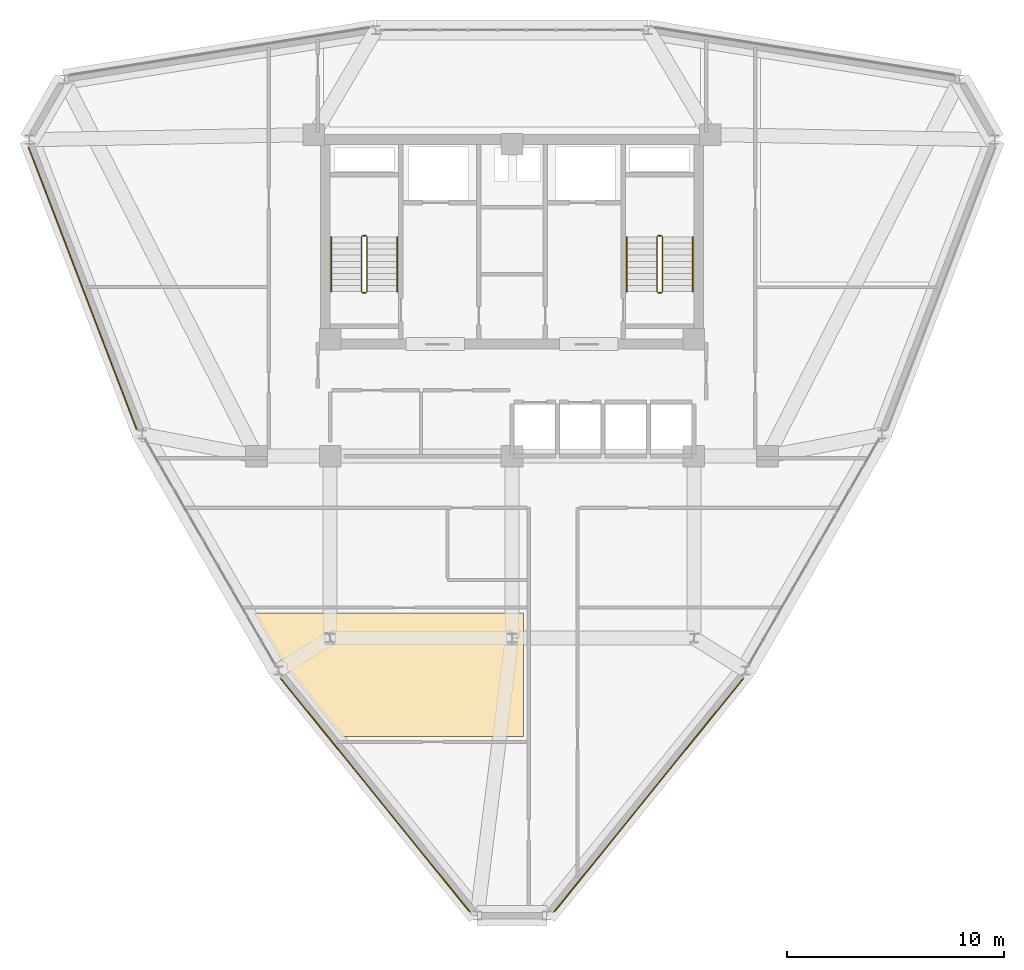
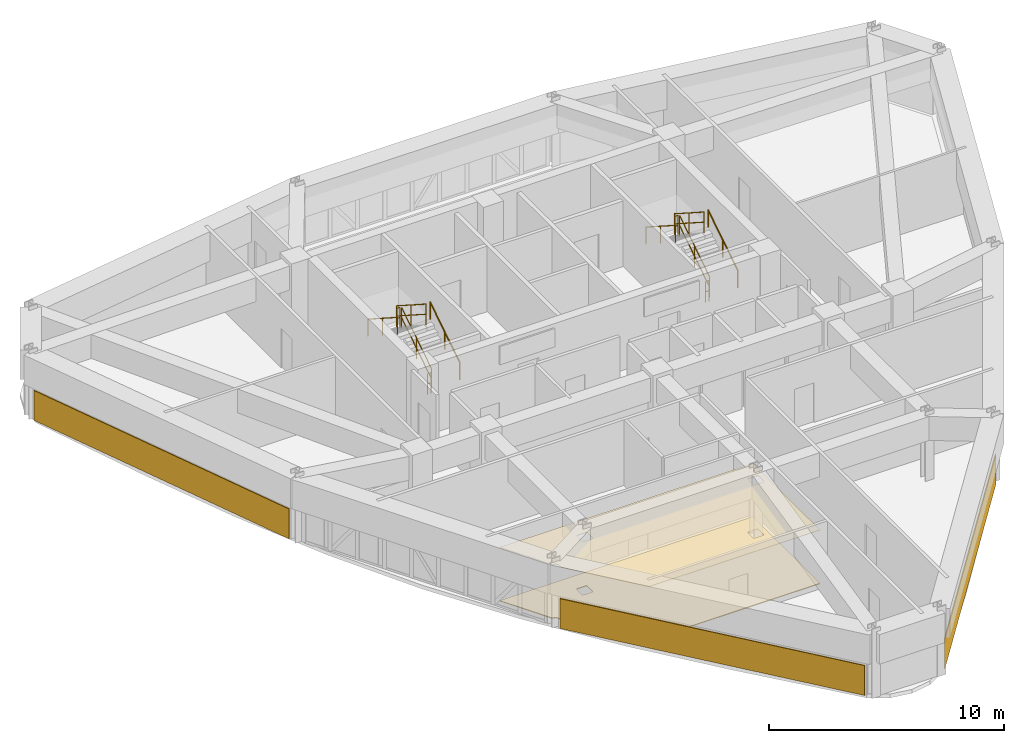
# One storey, part 12 of 13: 12 railings, 5 coverings.
"""IFC4 building model written with IfcOpenShell, lengths in metres."""

from ifc_helpers import new_model, si_unit, derived_unit, direction, frame, origin, origin_2d, place, context, subcontext, project, spatial, polyline, circle, outline, extrude, material, layer, layer_set, type_object, element, save


model = new_model("IFC4")

# Units and contexts
model_context = context("Model", 3, precision=1e-05, world=origin(), true_north=direction((0.0, 1.0)))
body_context = subcontext(model_context, "Body", "Model", "MODEL_VIEW")
ifc_project = project(units=[si_unit("LENGTHUNIT", "METRE"), si_unit("AREAUNIT", "SQUARE_METRE"), si_unit("VOLUMEUNIT", "CUBIC_METRE"), si_unit("PLANEANGLEUNIT", "RADIAN"), si_unit("MASSUNIT", "GRAM", prefix="KILO"), derived_unit("THERMALTRANSMITTANCEUNIT", [(si_unit("POWERUNIT", "WATT"), 1), (si_unit("LENGTHUNIT", "METRE"), -2), (si_unit("THERMODYNAMICTEMPERATUREUNIT", "KELVIN"), -1)])], contexts=[model_context])

# Site, building, storey
site_placement = place(None, origin())
site = spatial("IfcSite", under=ifc_project, at=site_placement, CompositionType="ELEMENT")
building_placement = place(site_placement, origin())
building = spatial("IfcBuilding", under=site, at=building_placement, Name="Korsvarv Bourse and Concert Hall", CompositionType="ELEMENT")
storey_placement = place(building_placement, frame((0.0, 0.0, 179.39990234375)))
storey = spatial("IfcBuildingStorey", under=building, at=storey_placement, Name="L46", CompositionType="ELEMENT", Elevation=179.39990234375)

# Coverings
ifc_material_1 = material(Name="Perforated mineral-wool and birch acoustic baffle ceiling", Category="wood")
ifc_layer_1 = layer(ifc_material_1, 0.02490234375)
ifc_layer_set_1 = layer_set([ifc_layer_1], Name="Perforated mineral-wool and birch acoustic baffle ceiling")
covering_type_1 = type_object("IfcCoveringType", Name="COV-CEIL-1", PredefinedType="CEILING", material=ifc_layer_set_1)
covering_1_placement = place(storey_placement, frame((0.0, 0.0, 2.780029296875)))
element("IfcCovering", 1, at=covering_1_placement, inside=storey, type_object=covering_type_1, Name="L46 acoustic baffle ceiling 3", PredefinedType="CEILING", context=body_context, shape_type="SweptSolid", body=[
    extrude(outline(polyline([(28.135986328125, 19.449951171875), (25.60986328125, 22.567138671875), (25.60986328125, 22.72021484375), (25.606201171875, 22.756103515625), (25.595703125, 22.79052734375), (25.578125, 22.822021484375), (25.554931640625, 22.849609375), (25.526611328125, 22.8720703125), (25.494384765625, 22.88818359375), (25.45947265625, 22.897705078125), (25.383544921875, 22.903564453125), (24.08642578125, 25.14990234375), (36.52001953125, 25.14990234375), (36.52001953125, 19.449951171875), (28.135986328125, 19.449951171875)]), holes=[polyline([(27.37939453125, 23.734619140625), (27.805908203125, 23.732421875), (27.82958984375, 23.73828125), (27.84765625, 23.754638671875), (27.855712890625, 23.777587890625), (27.85595703125, 24.217529296875), (27.85009765625, 24.2412109375), (27.833740234375, 24.259033203125), (27.810791015625, 24.267333984375), (27.39404296875, 24.267578125), (27.370361328125, 24.26171875), (27.352294921875, 24.245361328125), (27.34423828125, 24.222412109375), (27.343994140625, 23.782470703125), (27.349853515625, 23.7587890625), (27.37939453125, 23.734619140625)]), polyline([(35.7841796875, 23.7333984375), (36.2060546875, 23.732421875), (36.2294921875, 23.73828125), (36.24755859375, 23.754638671875), (36.255859375, 23.777587890625), (36.256103515625, 24.217529296875), (36.25, 24.2412109375), (36.23388671875, 24.259033203125), (36.2109375, 24.267333984375), (35.7939453125, 24.267578125), (35.7705078125, 24.26171875), (35.75244140625, 24.245361328125), (35.744140625, 24.222412109375), (35.743896484375, 23.782470703125), (35.75, 23.7587890625), (35.7841796875, 23.7333984375)])]), origin(), (0.0, 0.0, 1.0), 0.025146484375),
])
ifc_material_2 = material(Name="Warm iron-oxide extruded terracotta rainscreen tile", Category="ceramic")
ifc_layer_2 = layer(ifc_material_2, 0.044921875)
ifc_layer_set_2 = layer_set([ifc_layer_2], Name="Warm iron-oxide extruded terracotta rainscreen tile")
covering_type_2 = type_object("IfcCoveringType", Name="COV-CLD-TC", PredefinedType="CLADDING", material=ifc_layer_set_2)
covering_2_placement = place(storey_placement, origin())
element("IfcCovering", 2, at=covering_2_placement, inside=storey, type_object=covering_type_2, Name="L46 fluted terracotta cladding panel EW-L46-B06", PredefinedType="CLADDING", context=body_context, shape_type="SweptSolid", body=[
    extrude(outline(polyline([(13.694091796875, 46.677001953125), (18.691162109375, 33.64501953125), (18.649169921875, 33.628662109375), (13.652099609375, 46.660888671875), (13.694091796875, 46.677001953125)])), origin(), (0.0, 0.0, 1.0), 1.550048828125),
])
covering_3_placement = place(storey_placement, origin())
element("IfcCovering", 3, at=covering_3_placement, inside=storey, type_object=covering_type_2, Name="L46 fluted terracotta cladding panel EW-L46-B08", PredefinedType="CLADDING", context=body_context, shape_type="SweptSolid", body=[
    extrude(outline(polyline([(25.3349609375, 22.152099609375), (34.064453125, 11.379638671875), (34.029541015625, 11.351318359375), (25.300048828125, 22.12353515625), (25.3349609375, 22.152099609375)])), origin(), (0.0, 0.0, 1.0), 1.550048828125),
])
covering_4_placement = place(storey_placement, origin())
element("IfcCovering", 4, at=covering_4_placement, inside=storey, type_object=covering_type_2, Name="L46 fluted terracotta cladding panel EW-L46-B10", PredefinedType="CLADDING", context=body_context, shape_type="SweptSolid", body=[
    extrude(outline(polyline([(37.935546875, 11.379638671875), (46.6650390625, 22.152099609375), (46.699951171875, 22.12353515625), (37.970458984375, 11.351318359375), (37.935546875, 11.379638671875)])), origin(), (0.0, 0.0, 1.0), 1.550048828125),
])
ifc_material_3 = material(Name="Calcium-sulphate raised access trading floor with Nordic oak top", Category="wood")
ifc_layer_3 = layer(ifc_material_3, 0.0400390625)
ifc_layer_set_3 = layer_set([ifc_layer_3], Name="Calcium-sulphate raised access trading floor with Nordic oak top")
covering_type_3 = type_object("IfcCoveringType", Name="COV-FLOR-1", PredefinedType="FLOORING", material=ifc_layer_set_3)
covering_5_placement = place(storey_placement, origin())
element("IfcCovering", 5, at=covering_5_placement, inside=storey, type_object=covering_type_3, Name="L46 raised access oak floor finish 3", PredefinedType="FLOORING", context=body_context, shape_type="SweptSolid", body=[
    extrude(outline(polyline([(28.135986328125, 19.449951171875), (25.60986328125, 22.567138671875), (25.60986328125, 22.72021484375), (25.606201171875, 22.756103515625), (25.595703125, 22.79052734375), (25.578125, 22.822021484375), (25.554931640625, 22.849609375), (25.526611328125, 22.8720703125), (25.494384765625, 22.88818359375), (25.45947265625, 22.897705078125), (25.383544921875, 22.903564453125), (24.08642578125, 25.14990234375), (36.52001953125, 25.14990234375), (36.52001953125, 19.449951171875), (28.135986328125, 19.449951171875)]), holes=[polyline([(27.37939453125, 23.734619140625), (27.805908203125, 23.732421875), (27.82958984375, 23.73828125), (27.84765625, 23.754638671875), (27.855712890625, 23.777587890625), (27.85595703125, 24.217529296875), (27.85009765625, 24.2412109375), (27.833740234375, 24.259033203125), (27.810791015625, 24.267333984375), (27.39404296875, 24.267578125), (27.370361328125, 24.26171875), (27.352294921875, 24.245361328125), (27.34423828125, 24.222412109375), (27.343994140625, 23.782470703125), (27.349853515625, 23.7587890625), (27.37939453125, 23.734619140625)]), polyline([(35.7841796875, 23.7333984375), (36.2060546875, 23.732421875), (36.2294921875, 23.73828125), (36.24755859375, 23.754638671875), (36.255859375, 23.777587890625), (36.256103515625, 24.217529296875), (36.25, 24.2412109375), (36.23388671875, 24.259033203125), (36.2109375, 24.267333984375), (35.7939453125, 24.267578125), (35.7705078125, 24.26171875), (35.75244140625, 24.245361328125), (35.744140625, 24.222412109375), (35.743896484375, 23.782470703125), (35.75, 23.7587890625), (35.7841796875, 23.7333984375)])]), origin(), (0.0, 0.0, 1.0), 0.0400390625),
])

# Railings
ifc_material_4 = material(Name="Painted Steel S355 stair well guardrail", Category="steel")
railing_type_1 = type_object("IfcRailingType", Name="RL-ST-GRD", PredefinedType="GUARDRAIL", material=ifc_material_4)
railing_1_placement = place(storey_placement, frame((29.31005859375, 40.0, 0.18017578125)))
element("IfcRailing", 6, at=railing_1_placement, inside=storey, type_object=railing_type_1, Name="L46 ST-T1 stair guard 1", PredefinedType="GUARDRAIL", context=body_context, shape_type="SweptSolid", body=[
    extrude(circle(Radius=0.02392578125, at=origin_2d()), frame((0.0, 0.0, 1.076171875), z_axis=(0.0, 0.841199657755, 0.540724639528), x_axis=(-1.0, 0.0, 0.0)), (0.0, 0.0, 1.0), 2.995849609375),
    extrude(circle(Radius=0.02392578125, at=origin_2d()), frame((0.0, 0.0, 0.550048828125), z_axis=(0.0, 0.841199657755, 0.540724639528), x_axis=(-1.0, 0.0, 0.0)), (0.0, 0.0, 1.0), 2.995849609375),
    extrude(circle(Radius=0.02099609375, at=origin_2d()), origin(), (0.0, 0.0, 1.0), 1.052001953125),
    extrude(circle(Radius=0.02099609375, at=origin_2d()), frame((0.0, 1.260009765625, 0.81005859375)), (0.0, 0.0, 1.0), 1.052001953125),
    extrude(circle(Radius=0.02099609375, at=origin_2d()), frame((0.0, 2.52001953125, 1.619873046875)), (0.0, 0.0, 1.0), 1.052001953125),
])
railing_2_placement = place(storey_placement, frame((29.260009765625, 42.570068359375, 1.800048828125)))
element("IfcRailing", 7, at=railing_2_placement, inside=storey, type_object=railing_type_1, Name="L46 ST-T1 stair guard 2", PredefinedType="GUARDRAIL", context=body_context, shape_type="SweptSolid", body=[
    extrude(circle(Radius=0.02392578125, at=origin_2d()), frame((0.0, 0.0, 1.076171875), z_axis=(-1.0, 0.0, 0.0), x_axis=(0.0, -1.0, 0.0)), (0.0, 0.0, 1.0), 0.159912109375),
    extrude(circle(Radius=0.02392578125, at=origin_2d()), frame((0.0, 0.0, 0.550048828125), z_axis=(-1.0, 0.0, 0.0), x_axis=(0.0, -1.0, 0.0)), (0.0, 0.0, 1.0), 0.159912109375),
    extrude(circle(Radius=0.02099609375, at=origin_2d()), origin(), (0.0, 0.0, 1.0), 1.052001953125),
    extrude(circle(Radius=0.02099609375, at=origin_2d()), frame((-0.159912109375, 0.0, 0.0)), (0.0, 0.0, 1.0), 1.052001953125),
])
railing_3_placement = place(storey_placement, frame((29.050048828125, 42.52001953125, 1.97998046875)))
element("IfcRailing", 8, at=railing_3_placement, inside=storey, type_object=railing_type_1, Name="L46 ST-T1 stair guard 3", PredefinedType="GUARDRAIL", context=body_context, shape_type="SweptSolid", body=[
    extrude(circle(Radius=0.02392578125, at=origin_2d()), frame((0.0, 0.0, 1.076171875), z_axis=(0.0, -0.841162588446, 0.540782303519), x_axis=(1.0, 0.0, 0.0)), (0.0, 0.0, 1.0), 2.995849609375),
    extrude(circle(Radius=0.02392578125, at=origin_2d()), frame((0.0, 0.0, 0.550048828125), z_axis=(0.0, -0.841162588446, 0.540782303519), x_axis=(1.0, 0.0, 0.0)), (0.0, 0.0, 1.0), 2.995849609375),
    extrude(circle(Radius=0.02099609375, at=origin_2d()), origin(), (0.0, 0.0, 1.0), 1.052001953125),
    extrude(circle(Radius=0.02099609375, at=origin_2d()), frame((0.0, -1.260009765625, 0.81005859375)), (0.0, 0.0, 1.0), 1.052001953125),
    extrude(circle(Radius=0.02099609375, at=origin_2d()), frame((0.0, -2.52001953125, 1.6201171875)), (0.0, 0.0, 1.0), 1.052001953125),
])
railing_4_placement = place(storey_placement, frame((29.260009765625, 39.949951171875, 0.0)))
element("IfcRailing", 9, at=railing_4_placement, inside=storey, type_object=railing_type_1, Name="L46 ST-T1 stair guard 4", PredefinedType="GUARDRAIL", context=body_context, shape_type="SweptSolid", body=[
    extrude(circle(Radius=0.02392578125, at=origin_2d()), frame((0.0, 0.0, 1.076171875), z_axis=(-1.0, 0.0, 0.0), x_axis=(0.0, -1.0, 0.0)), (0.0, 0.0, 1.0), 0.159912109375),
    extrude(circle(Radius=0.02392578125, at=origin_2d()), frame((0.0, 0.0, 0.550048828125), z_axis=(-1.0, 0.0, 0.0), x_axis=(0.0, -1.0, 0.0)), (0.0, 0.0, 1.0), 0.159912109375),
    extrude(circle(Radius=0.02099609375, at=origin_2d()), origin(), (0.0, 0.0, 1.0), 1.052001953125),
    extrude(circle(Radius=0.02099609375, at=origin_2d()), frame((-0.159912109375, 0.0, 0.0)), (0.0, 0.0, 1.0), 1.052001953125),
])
railing_5_placement = place(storey_placement, frame((42.949951171875, 40.0, 0.18017578125)))
element("IfcRailing", 10, at=railing_5_placement, inside=storey, type_object=railing_type_1, Name="L46 ST-T2 stair guard 1", PredefinedType="GUARDRAIL", context=body_context, shape_type="SweptSolid", body=[
    extrude(circle(Radius=0.02392578125, at=origin_2d()), frame((0.0, 0.0, 1.076171875), z_axis=(0.0, 0.841199657755, 0.540724639528), x_axis=(-1.0, 0.0, 0.0)), (0.0, 0.0, 1.0), 2.995849609375),
    extrude(circle(Radius=0.02392578125, at=origin_2d()), frame((0.0, 0.0, 0.550048828125), z_axis=(0.0, 0.841199657755, 0.540724639528), x_axis=(-1.0, 0.0, 0.0)), (0.0, 0.0, 1.0), 2.995849609375),
    extrude(circle(Radius=0.02099609375, at=origin_2d()), origin(), (0.0, 0.0, 1.0), 1.052001953125),
    extrude(circle(Radius=0.02099609375, at=origin_2d()), frame((0.0, 1.260009765625, 0.81005859375)), (0.0, 0.0, 1.0), 1.052001953125),
    extrude(circle(Radius=0.02099609375, at=origin_2d()), frame((0.0, 2.52001953125, 1.619873046875)), (0.0, 0.0, 1.0), 1.052001953125),
])
railing_6_placement = place(storey_placement, frame((42.89990234375, 42.570068359375, 1.800048828125)))
element("IfcRailing", 11, at=railing_6_placement, inside=storey, type_object=railing_type_1, Name="L46 ST-T2 stair guard 2", PredefinedType="GUARDRAIL", context=body_context, shape_type="SweptSolid", body=[
    extrude(circle(Radius=0.02392578125, at=origin_2d()), frame((0.0, 0.0, 1.076171875), z_axis=(-1.0, 0.0, 0.0), x_axis=(0.0, -1.0, 0.0)), (0.0, 0.0, 1.0), 0.159912109375),
    extrude(circle(Radius=0.02392578125, at=origin_2d()), frame((0.0, 0.0, 0.550048828125), z_axis=(-1.0, 0.0, 0.0), x_axis=(0.0, -1.0, 0.0)), (0.0, 0.0, 1.0), 0.159912109375),
    extrude(circle(Radius=0.02099609375, at=origin_2d()), origin(), (0.0, 0.0, 1.0), 1.052001953125),
    extrude(circle(Radius=0.02099609375, at=origin_2d()), frame((-0.159912109375, 0.0, 0.0)), (0.0, 0.0, 1.0), 1.052001953125),
])
railing_7_placement = place(storey_placement, frame((42.68994140625, 42.52001953125, 1.97998046875)))
element("IfcRailing", 12, at=railing_7_placement, inside=storey, type_object=railing_type_1, Name="L46 ST-T2 stair guard 3", PredefinedType="GUARDRAIL", context=body_context, shape_type="SweptSolid", body=[
    extrude(circle(Radius=0.02392578125, at=origin_2d()), frame((0.0, 0.0, 1.076171875), z_axis=(0.0, -0.841162588446, 0.540782303519), x_axis=(1.0, 0.0, 0.0)), (0.0, 0.0, 1.0), 2.995849609375),
    extrude(circle(Radius=0.02392578125, at=origin_2d()), frame((0.0, 0.0, 0.550048828125), z_axis=(0.0, -0.841162588446, 0.540782303519), x_axis=(1.0, 0.0, 0.0)), (0.0, 0.0, 1.0), 2.995849609375),
    extrude(circle(Radius=0.02099609375, at=origin_2d()), origin(), (0.0, 0.0, 1.0), 1.052001953125),
    extrude(circle(Radius=0.02099609375, at=origin_2d()), frame((0.0, -1.260009765625, 0.81005859375)), (0.0, 0.0, 1.0), 1.052001953125),
    extrude(circle(Radius=0.02099609375, at=origin_2d()), frame((0.0, -2.52001953125, 1.6201171875)), (0.0, 0.0, 1.0), 1.052001953125),
])
railing_8_placement = place(storey_placement, frame((42.89990234375, 39.949951171875, 0.0)))
element("IfcRailing", 13, at=railing_8_placement, inside=storey, type_object=railing_type_1, Name="L46 ST-T2 stair guard 4", PredefinedType="GUARDRAIL", context=body_context, shape_type="SweptSolid", body=[
    extrude(circle(Radius=0.02392578125, at=origin_2d()), frame((0.0, 0.0, 1.076171875), z_axis=(-1.0, 0.0, 0.0), x_axis=(0.0, -1.0, 0.0)), (0.0, 0.0, 1.0), 0.159912109375),
    extrude(circle(Radius=0.02392578125, at=origin_2d()), frame((0.0, 0.0, 0.550048828125), z_axis=(-1.0, 0.0, 0.0), x_axis=(0.0, -1.0, 0.0)), (0.0, 0.0, 1.0), 0.159912109375),
    extrude(circle(Radius=0.02099609375, at=origin_2d()), origin(), (0.0, 0.0, 1.0), 1.052001953125),
    extrude(circle(Radius=0.02099609375, at=origin_2d()), frame((-0.159912109375, 0.0, 0.0)), (0.0, 0.0, 1.0), 1.052001953125),
])
ifc_material_5 = material(Name="Brushed stainless Steel S355 tubular handrail", Category="steel")
railing_type_2 = type_object("IfcRailingType", Name="RL-ST-HND", PredefinedType="HANDRAIL", material=ifc_material_5)
railing_9_placement = place(storey_placement, frame((30.7099609375, 40.0, 0.18017578125)))
element("IfcRailing", 14, at=railing_9_placement, inside=storey, type_object=railing_type_2, Name="L46 ST-T1 stair handrail 1", PredefinedType="HANDRAIL", context=body_context, shape_type="SweptSolid", body=[
    extrude(circle(Radius=0.02392578125, at=origin_2d()), frame((0.0, 0.0, 0.8759765625), z_axis=(0.0, 0.841199657755, 0.540724639528), x_axis=(-1.0, 0.0, 0.0)), (0.0, 0.0, 1.0), 2.995849609375),
    extrude(circle(Radius=0.02099609375, at=origin_2d()), origin(), (0.0, 0.0, 1.0), 0.851806640625),
    extrude(circle(Radius=0.02099609375, at=origin_2d()), frame((0.0, 1.260009765625, 0.81005859375)), (0.0, 0.0, 1.0), 0.851806640625),
    extrude(circle(Radius=0.02099609375, at=origin_2d()), frame((0.0, 2.52001953125, 1.619873046875)), (0.0, 0.0, 1.0), 0.851806640625),
])
railing_10_placement = place(storey_placement, frame((27.64990234375, 42.52001953125, 1.97998046875)))
element("IfcRailing", 15, at=railing_10_placement, inside=storey, type_object=railing_type_2, Name="L46 ST-T1 stair handrail 2", PredefinedType="HANDRAIL", context=body_context, shape_type="SweptSolid", body=[
    extrude(circle(Radius=0.02392578125, at=origin_2d()), frame((0.0, 0.0, 0.8759765625), z_axis=(0.0, -0.841162588446, 0.540782303519), x_axis=(1.0, 0.0, 0.0)), (0.0, 0.0, 1.0), 2.995849609375),
    extrude(circle(Radius=0.02099609375, at=origin_2d()), origin(), (0.0, 0.0, 1.0), 0.851806640625),
    extrude(circle(Radius=0.02099609375, at=origin_2d()), frame((0.0, -1.260009765625, 0.81005859375)), (0.0, 0.0, 1.0), 0.851806640625),
    extrude(circle(Radius=0.02099609375, at=origin_2d()), frame((0.0, -2.52001953125, 1.6201171875)), (0.0, 0.0, 1.0), 0.851806640625),
])
railing_11_placement = place(storey_placement, frame((44.35009765625, 40.0, 0.18017578125)))
element("IfcRailing", 16, at=railing_11_placement, inside=storey, type_object=railing_type_2, Name="L46 ST-T2 stair handrail 1", PredefinedType="HANDRAIL", context=body_context, shape_type="SweptSolid", body=[
    extrude(circle(Radius=0.02392578125, at=origin_2d()), frame((0.0, 0.0, 0.8759765625), z_axis=(0.0, 0.841199657755, 0.540724639528), x_axis=(-1.0, 0.0, 0.0)), (0.0, 0.0, 1.0), 2.995849609375),
    extrude(circle(Radius=0.02099609375, at=origin_2d()), origin(), (0.0, 0.0, 1.0), 0.851806640625),
    extrude(circle(Radius=0.02099609375, at=origin_2d()), frame((0.0, 1.260009765625, 0.81005859375)), (0.0, 0.0, 1.0), 0.851806640625),
    extrude(circle(Radius=0.02099609375, at=origin_2d()), frame((0.0, 2.52001953125, 1.619873046875)), (0.0, 0.0, 1.0), 0.851806640625),
])
railing_12_placement = place(storey_placement, frame((41.2900390625, 42.52001953125, 1.97998046875)))
element("IfcRailing", 17, at=railing_12_placement, inside=storey, type_object=railing_type_2, Name="L46 ST-T2 stair handrail 2", PredefinedType="HANDRAIL", context=body_context, shape_type="SweptSolid", body=[
    extrude(circle(Radius=0.02392578125, at=origin_2d()), frame((0.0, 0.0, 0.8759765625), z_axis=(0.0, -0.841162588446, 0.540782303519), x_axis=(1.0, 0.0, 0.0)), (0.0, 0.0, 1.0), 2.995849609375),
    extrude(circle(Radius=0.02099609375, at=origin_2d()), origin(), (0.0, 0.0, 1.0), 0.851806640625),
    extrude(circle(Radius=0.02099609375, at=origin_2d()), frame((0.0, -1.260009765625, 0.81005859375)), (0.0, 0.0, 1.0), 0.851806640625),
    extrude(circle(Radius=0.02099609375, at=origin_2d()), frame((0.0, -2.52001953125, 1.6201171875)), (0.0, 0.0, 1.0), 0.851806640625),
])

save(model, "model.ifc")
